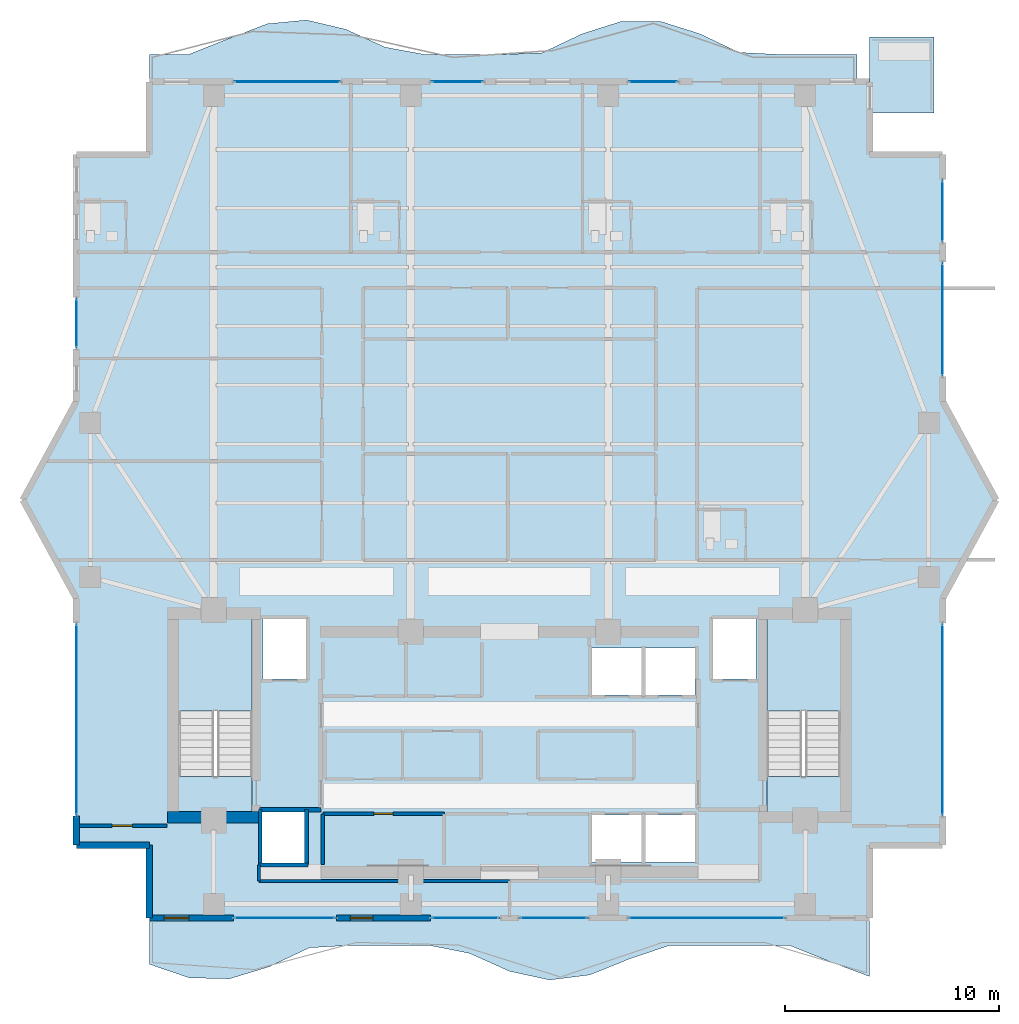
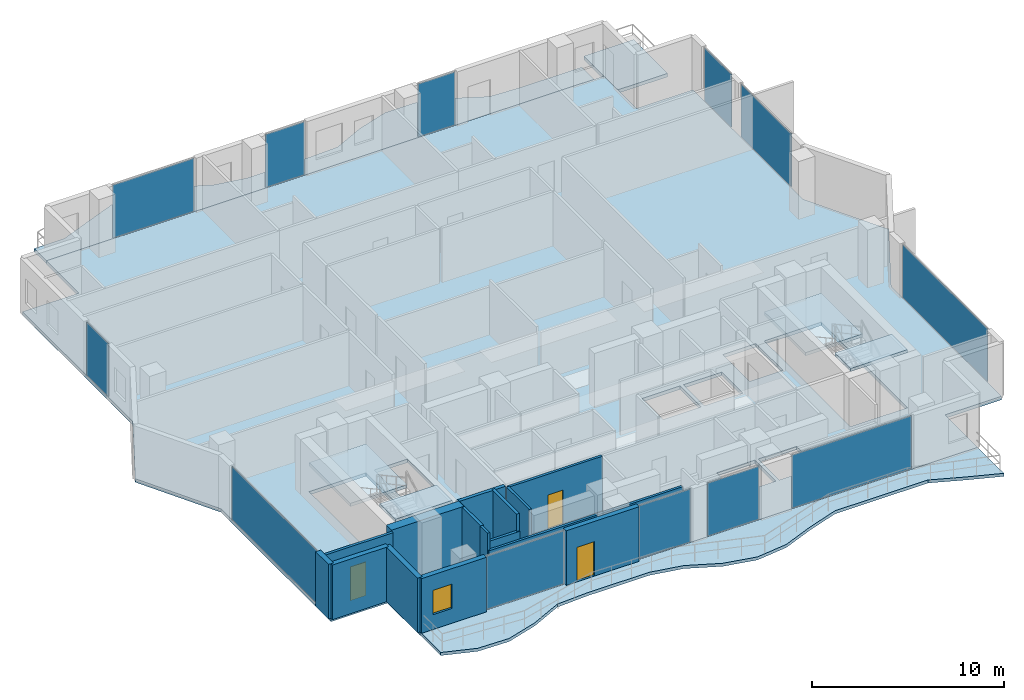
# One storey, part 16 of 23: 15 walls, 12 plates, 8 slabs, 3 doors, 1 window, 4 openings, 14 elements without a shape of their own.
"""IFC4 building model written with IfcOpenShell, lengths in metres."""

from ifc_helpers import new_model, si_unit, direction, frame, frame_2d, origin, origin_2d, place, context, subcontext, project, spatial, polyline, rectangle, outline, extrude, material, layer, layer_set, type_object, element, fill, aggregate, save


model = new_model("IFC4")

# Units and contexts
model_context = context("Model", 3, precision=1e-05, world=origin(), true_north=direction((0.0, 1.0)))
body_context = subcontext(model_context, "Body", "Model", "MODEL_VIEW")
ifc_project = project(units=[si_unit("LENGTHUNIT", "METRE"), si_unit("AREAUNIT", "SQUARE_METRE"), si_unit("VOLUMEUNIT", "CUBIC_METRE"), si_unit("PLANEANGLEUNIT", "RADIAN"), si_unit("MASSUNIT", "GRAM", prefix="KILO")], contexts=[model_context])

# Site, building, storey
site_placement = place(None, origin())
site = spatial("IfcSite", under=ifc_project, at=site_placement, CompositionType="ELEMENT")
building_placement = place(site_placement, origin())
building = spatial("IfcBuilding", under=site, at=building_placement, Name="Zuhayl Quay Hotel", CompositionType="ELEMENT")
storey_placement = place(building_placement, frame((0.0, 0.0, 265.550048828125)))
storey = spatial("IfcBuildingStorey", under=building, at=storey_placement, Name="L67", CompositionType="ELEMENT", Elevation=265.550048828125)

# Curtain wall, plate
ifc_material_1 = material(Name="Anodised Aluminium 6063-T6", Category="aluminium")
ifc_layer_1 = layer(ifc_material_1, 0.169921875, Name="Anodised Aluminium 6063-T6", Category="aluminium")
ifc_layer_set_1 = layer_set([ifc_layer_1], Name="Anodised Aluminium 6063-T6")
curtain_wall_type = type_object("IfcCurtainWallType", Name="CW_SYS_Z4", PredefinedType="USERDEFINED", material=ifc_layer_set_1)
curtain_wall_1_placement = place(storey_placement, origin())
curtain_wall_1 = element("IfcCurtainWall", 1, at=curtain_wall_1_placement, inside=storey, type_object=curtain_wall_type, Name="L67 Curtain Wall ENV_L67_E02_CW1", ObjectType="UNITISED CURTAIN WALL", PredefinedType="USERDEFINED")
ifc_material_2 = material(Name="Dark Ceramic-Fritted Solar Glass", Category="glass")
ifc_layer_2 = layer(ifc_material_2, 0.035888671875, Name="Dark Ceramic-Fritted Solar Glass", Category="glass")
ifc_layer_set_2 = layer_set([ifc_layer_2], Name="Dark Ceramic-Fritted Solar Glass")
plate_type = type_object("IfcPlateType", Name="PN_DARK_FRIT_Z1", PredefinedType="CURTAIN_PANEL", material=ifc_layer_set_2)
plate_1_placement = place(storey_placement, frame((-20.199951171875, 9.25, 0.054931640625), z_axis=(0.0, 0.0, 1.0), x_axis=(0.0, 1.0, 0.0)))
plate_1 = element("IfcPlate", 2, at=plate_1_placement, type_object=plate_type, Name="CW-Z4 panel 1.1", PredefinedType="CURTAIN_PANEL", context=body_context, shape_type="SweptSolid", body=[
    extrude(rectangle(XDim=8.8701171875, YDim=0.035888671875, at=origin_2d()), origin(), (0.0, 0.0, 1.0), 3.3701171875),
])
aggregate(curtain_wall_1, [plate_1])

curtain_wall_2_placement = place(storey_placement, origin())
curtain_wall_2 = element("IfcCurtainWall", 3, at=curtain_wall_2_placement, inside=storey, type_object=curtain_wall_type, Name="L67 Curtain Wall ENV_L67_E05_CW1", ObjectType="UNITISED CURTAIN WALL", PredefinedType="USERDEFINED")
plate_2_placement = place(storey_placement, frame((-20.199951171875, 27.739990234375, 0.054931640625), z_axis=(0.0, 0.0, 1.0), x_axis=(0.0, 1.0, 0.0)))
plate_2 = element("IfcPlate", 4, at=plate_2_placement, type_object=plate_type, Name="CW-Z4 panel 1.1", PredefinedType="CURTAIN_PANEL", context=body_context, shape_type="SweptSolid", body=[
    extrude(rectangle(XDim=2.25, YDim=0.035888671875, at=origin_2d()), origin(), (0.0, 0.0, 1.0), 3.3701171875),
])
aggregate(curtain_wall_2, [plate_2])

curtain_wall_3_placement = place(storey_placement, origin())
curtain_wall_3 = element("IfcCurtainWall", 5, at=curtain_wall_3_placement, inside=storey, type_object=curtain_wall_type, Name="L67 Curtain Wall ENV_L67_N_CW1", ObjectType="UNITISED CURTAIN WALL", PredefinedType="USERDEFINED")
plate_3_placement = place(storey_placement, frame((-10.364990234375, 39.0, 0.054931640625), z_axis=(0.0, 0.0, 1.0), x_axis=(1.0, 0.0, 0.0)))
plate_3 = element("IfcPlate", 6, at=plate_3_placement, type_object=plate_type, Name="CW-Z4 panel 1.1", PredefinedType="CURTAIN_PANEL", context=body_context, shape_type="SweptSolid", body=[
    extrude(rectangle(XDim=4.89990234375, YDim=0.035888671875, at=origin_2d()), origin(), (0.0, 0.0, 1.0), 3.3701171875),
])
aggregate(curtain_wall_3, [plate_3])

curtain_wall_4_placement = place(storey_placement, origin())
curtain_wall_4 = element("IfcCurtainWall", 7, at=curtain_wall_4_placement, inside=storey, type_object=curtain_wall_type, Name="L67 Curtain Wall ENV_L67_N_CW2", ObjectType="UNITISED CURTAIN WALL", PredefinedType="USERDEFINED")
plate_4_placement = place(storey_placement, frame((-2.43505859375, 39.0, 0.054931640625), z_axis=(0.0, 0.0, 1.0), x_axis=(1.0, 0.0, 0.0)))
plate_4 = element("IfcPlate", 8, at=plate_4_placement, type_object=plate_type, Name="CW-Z4 panel 1.1", PredefinedType="CURTAIN_PANEL", context=body_context, shape_type="SweptSolid", body=[
    extrude(rectangle(XDim=2.360107421875, YDim=0.035888671875, at=origin_2d()), origin(), (0.0, 0.0, 1.0), 3.3701171875),
])
aggregate(curtain_wall_4, [plate_4])

curtain_wall_5_placement = place(storey_placement, origin())
curtain_wall_5 = element("IfcCurtainWall", 9, at=curtain_wall_5_placement, inside=storey, type_object=curtain_wall_type, Name="L67 Curtain Wall ENV_L67_N_CW3", ObjectType="UNITISED CURTAIN WALL", PredefinedType="USERDEFINED")
plate_5_placement = place(storey_placement, frame((6.698974609375, 39.0, 0.054931640625), z_axis=(0.0, 0.0, 1.0), x_axis=(1.0, 0.0, 0.0)))
plate_5 = element("IfcPlate", 10, at=plate_5_placement, type_object=plate_type, Name="CW-Z4 panel 1.1", PredefinedType="CURTAIN_PANEL", context=body_context, shape_type="SweptSolid", body=[
    extrude(rectangle(XDim=2.22802734375, YDim=0.035888671875, at=origin_2d()), origin(), (0.0, 0.0, 1.0), 3.3701171875),
])
aggregate(curtain_wall_5, [plate_5])

curtain_wall_6_placement = place(storey_placement, origin())
curtain_wall_6 = element("IfcCurtainWall", 11, at=curtain_wall_6_placement, inside=storey, type_object=curtain_wall_type, Name="L67 Curtain Wall ENV_L67_E11_CW1", ObjectType="UNITISED CURTAIN WALL", PredefinedType="USERDEFINED")
plate_6_placement = place(storey_placement, frame((20.199951171875, 32.97509765625, 0.054931640625), z_axis=(0.0, 0.0, 1.0), x_axis=(0.0, -1.0, 0.0)))
plate_6 = element("IfcPlate", 12, at=plate_6_placement, type_object=plate_type, Name="CW-Z4 panel 1.1", PredefinedType="CURTAIN_PANEL", context=body_context, shape_type="SweptSolid", body=[
    extrude(rectangle(XDim=2.820068359375, YDim=0.035888671875, at=origin_2d()), origin(), (0.0, 0.0, 1.0), 3.3701171875),
])
aggregate(curtain_wall_6, [plate_6])

curtain_wall_7_placement = place(storey_placement, origin())
curtain_wall_7 = element("IfcCurtainWall", 13, at=curtain_wall_7_placement, inside=storey, type_object=curtain_wall_type, Name="L67 Curtain Wall ENV_L67_E11_CW2", ObjectType="UNITISED CURTAIN WALL", PredefinedType="USERDEFINED")
plate_7_placement = place(storey_placement, frame((20.199951171875, 27.925048828125, 0.054931640625), z_axis=(0.0, 0.0, 1.0), x_axis=(0.0, -1.0, 0.0)))
plate_7 = element("IfcPlate", 14, at=plate_7_placement, type_object=plate_type, Name="CW-Z4 panel 1.1", PredefinedType="CURTAIN_PANEL", context=body_context, shape_type="SweptSolid", body=[
    extrude(rectangle(XDim=5.219970703125, YDim=0.035888671875, at=origin_2d()), origin(), (0.0, 0.0, 1.0), 3.3701171875),
])
aggregate(curtain_wall_7, [plate_7])

curtain_wall_8_placement = place(storey_placement, origin())
curtain_wall_8 = element("IfcCurtainWall", 15, at=curtain_wall_8_placement, inside=storey, type_object=curtain_wall_type, Name="L67 Curtain Wall ENV_L67_E14_CW1", ObjectType="UNITISED CURTAIN WALL", PredefinedType="USERDEFINED")
plate_8_placement = place(storey_placement, frame((20.199951171875, 9.25, 0.054931640625), z_axis=(0.0, 0.0, 1.0), x_axis=(0.0, -1.0, 0.0)))
plate_8 = element("IfcPlate", 16, at=plate_8_placement, type_object=plate_type, Name="CW-Z4 panel 1.1", PredefinedType="CURTAIN_PANEL", context=body_context, shape_type="SweptSolid", body=[
    extrude(rectangle(XDim=8.8701171875, YDim=0.035888671875, at=origin_2d()), origin(), (0.0, 0.0, 1.0), 3.3701171875),
])
aggregate(curtain_wall_8, [plate_8])

curtain_wall_9_placement = place(storey_placement, origin())
curtain_wall_9 = element("IfcCurtainWall", 17, at=curtain_wall_9_placement, inside=storey, type_object=curtain_wall_type, Name="L67 Curtain Wall ENV_L67_S_CW1", ObjectType="UNITISED CURTAIN WALL", PredefinedType="USERDEFINED")
plate_9_placement = place(storey_placement, frame((9.199951171875, 0.0, 0.054931640625), z_axis=(0.0, 0.0, 1.0), x_axis=(-1.0, 0.0, 0.0)))
plate_9 = element("IfcPlate", 18, at=plate_9_placement, type_object=plate_type, Name="CW-Z4 panel 1.1", PredefinedType="CURTAIN_PANEL", context=body_context, shape_type="SweptSolid", body=[
    extrude(rectangle(XDim=7.22998046875, YDim=0.035888671875, at=origin_2d()), origin(), (0.0, 0.0, 1.0), 3.3701171875),
])
aggregate(curtain_wall_9, [plate_9])

curtain_wall_10_placement = place(storey_placement, origin())
curtain_wall_10 = element("IfcCurtainWall", 19, at=curtain_wall_10_placement, inside=storey, type_object=curtain_wall_type, Name="L67 Curtain Wall ENV_L67_S_CW2", ObjectType="UNITISED CURTAIN WALL", PredefinedType="USERDEFINED")
plate_10_placement = place(storey_placement, frame((2.06494140625, 0.0, 0.054931640625), z_axis=(0.0, 0.0, 1.0), x_axis=(-1.0, 0.0, 0.0)))
plate_10 = element("IfcPlate", 20, at=plate_10_placement, type_object=plate_type, Name="CW-Z4 panel 1.1", PredefinedType="CURTAIN_PANEL", context=body_context, shape_type="SweptSolid", body=[
    extrude(rectangle(XDim=3.10009765625, YDim=0.035888671875, at=origin_2d()), origin(), (0.0, 0.0, 1.0), 3.3701171875),
])
aggregate(curtain_wall_10, [plate_10])

curtain_wall_11_placement = place(storey_placement, origin())
curtain_wall_11 = element("IfcCurtainWall", 21, at=curtain_wall_11_placement, inside=storey, type_object=curtain_wall_type, Name="L67 Curtain Wall ENV_L67_S_CW3", ObjectType="UNITISED CURTAIN WALL", PredefinedType="USERDEFINED")
plate_11_placement = place(storey_placement, frame((-2.06494140625, 0.0, 0.054931640625), z_axis=(0.0, 0.0, 1.0), x_axis=(-1.0, 0.0, 0.0)))
plate_11 = element("IfcPlate", 22, at=plate_11_placement, type_object=plate_type, Name="CW-Z4 panel 1.1", PredefinedType="CURTAIN_PANEL", context=body_context, shape_type="SweptSolid", body=[
    extrude(rectangle(XDim=3.10009765625, YDim=0.035888671875, at=origin_2d()), origin(), (0.0, 0.0, 1.0), 3.3701171875),
])
aggregate(curtain_wall_11, [plate_11])

curtain_wall_12_placement = place(storey_placement, origin())
curtain_wall_12 = element("IfcCurtainWall", 23, at=curtain_wall_12_placement, inside=storey, type_object=curtain_wall_type, Name="L67 Curtain Wall ENV_L67_S_CW4", ObjectType="UNITISED CURTAIN WALL", PredefinedType="USERDEFINED")
plate_12_placement = place(storey_placement, frame((-10.4775390625, 0.0, 0.054931640625), z_axis=(0.0, 0.0, 1.0), x_axis=(-1.0, 0.0, 0.0)))
plate_12 = element("IfcPlate", 24, at=plate_12_placement, type_object=plate_type, Name="CW-Z4 panel 1.1", PredefinedType="CURTAIN_PANEL", context=body_context, shape_type="SweptSolid", body=[
    extrude(rectangle(XDim=4.675048828125, YDim=0.035888671875, at=origin_2d()), origin(), (0.0, 0.0, 1.0), 3.3701171875),
])
aggregate(curtain_wall_12, [plate_12])

# Slabs
ifc_material_3 = material(Name="Concrete C45/55", Category="concrete")
ifc_layer_3 = layer(ifc_material_3, 0.195068359375, Name="Concrete C45/55", Category="concrete")
ifc_layer_set_3 = layer_set([ifc_layer_3], Name="Concrete C45/55")
slab_type_1 = type_object("IfcSlabType", Name="SL_BALCONY_195", PredefinedType="FLOOR", material=ifc_layer_set_3)
slab_1_placement = place(storey_placement, frame((0.0, 0.0, -0.195068359375)))
element("IfcSlab", 25, at=slab_1_placement, inside=storey, type_object=slab_type_1, Name="L67 Exterior Rippling Balcony Slab North", PredefinedType="FLOOR", context=body_context, shape_type="SweptSolid", body=[
    extrude(outline(polyline([(-16.800048828125, 39.0), (16.199951171875, 39.0), (16.199951171875, 40.280029296875), (14.36669921875, 40.280029296875), (12.533203125, 40.280029296875), (10.699951171875, 40.3740234375), (8.86669921875, 41.246337890625), (7.033203125, 41.82275390625), (5.199951171875, 41.81689453125), (3.36669921875, 41.23193359375), (1.533203125, 40.358154296875), (-0.300048828125, 40.280029296875), (-2.13330078125, 40.280029296875), (-3.966796875, 40.280029296875), (-5.800048828125, 40.6171875), (-7.63330078125, 41.44921875), (-9.466796875, 41.884521484375), (-11.300048828125, 41.707275390625), (-13.13330078125, 41.0048828125), (-14.966796875, 40.280029296875), (-16.800048828125, 40.280029296875), (-16.800048828125, 39.0)])), origin(), (0.0, 0.0, 1.0), 0.195068359375),
])
slab_2_placement = place(storey_placement, frame((0.0, 0.0, -0.195068359375)))
element("IfcSlab", 26, at=slab_2_placement, inside=storey, type_object=slab_type_1, Name="L67 Exterior Rippling Balcony Slab South", PredefinedType="FLOOR", context=body_context, shape_type="SweptSolid", body=[
    extrude(outline(polyline([(-16.800048828125, -2.158447265625), (-14.933349609375, -2.7919921875), (-13.066650390625, -2.8388671875), (-11.199951171875, -2.27490234375), (-9.333251953125, -1.39013671875), (-7.466796875, -1.280029296875), (-5.60009765625, -1.280029296875), (-3.7333984375, -1.280029296875), (-1.86669921875, -1.64990234375), (0.0, -2.486328125), (1.86669921875, -2.893310546875), (3.7333984375, -2.661376953125), (5.60009765625, -1.909912109375), (7.466796875, -1.280029296875), (9.333251953125, -1.280029296875), (11.199951171875, -1.280029296875), (13.066650390625, -1.280029296875), (14.933349609375, -2.036376953125), (16.800048828125, -2.732421875), (16.800048828125, 0.0), (-16.800048828125, 0.0), (-16.800048828125, -2.158447265625)])), origin(), (0.0, 0.0, 1.0), 0.195068359375),
])
ifc_layer_4 = layer(ifc_material_3, 0.219970703125, Name="Concrete C45/55", Category="concrete")
ifc_layer_set_4 = layer_set([ifc_layer_4], Name="Concrete C45/55")
slab_type_2 = type_object("IfcSlabType", Name="SL_FLOOR_220", PredefinedType="FLOOR", material=ifc_layer_set_4)
slab_3_placement = place(storey_placement, frame((0.0, 0.0, -0.219970703125)))
element("IfcSlab", 27, at=slab_3_placement, inside=storey, type_object=slab_type_2, Name="L67 Structural Floor Slab", PredefinedType="FLOOR", context=body_context, shape_type="SweptSolid", body=[
    extrude(outline(polyline([(-16.800048828125, 0.0), (16.800048828125, 0.0), (16.800048828125, 3.39990234375), (20.199951171875, 3.39990234375), (20.199951171875, 14.89990234375), (22.699951171875, 19.5), (20.199951171875, 24.10009765625), (20.199951171875, 35.60009765625), (16.800048828125, 35.60009765625), (16.800048828125, 39.0), (-16.800048828125, 39.0), (-16.800048828125, 35.60009765625), (-20.199951171875, 35.60009765625), (-20.199951171875, 24.10009765625), (-22.699951171875, 19.5), (-20.199951171875, 14.89990234375), (-20.199951171875, 3.39990234375), (-16.800048828125, 3.39990234375), (-16.800048828125, 0.0)]), holes=[polyline([(-12.0, 4.949951171875), (-12.0, 13.949951171875), (-15.429931640625, 13.949951171875), (-15.429931640625, 4.949951171875), (-12.0, 4.949951171875)]), polyline([(15.429931640625, 4.949951171875), (15.429931640625, 13.949951171875), (12.0, 13.949951171875), (12.0, 4.949951171875), (15.429931640625, 4.949951171875)]), polyline([(-11.5, 11.14990234375), (-9.5, 11.14990234375), (-9.5, 13.949951171875), (-11.5, 13.949951171875), (-11.5, 11.14990234375)]), polyline([(9.5, 11.14990234375), (11.5, 11.14990234375), (11.5, 13.949951171875), (9.5, 13.949951171875), (9.5, 11.14990234375)]), polyline([(3.85009765625, 2.60009765625), (6.14990234375, 2.60009765625), (6.14990234375, 4.800048828125), (3.85009765625, 4.800048828125), (3.85009765625, 2.60009765625)]), polyline([(6.35009765625, 2.60009765625), (8.64990234375, 2.60009765625), (8.64990234375, 4.800048828125), (6.35009765625, 4.800048828125), (6.35009765625, 2.60009765625)]), polyline([(3.85009765625, 10.39990234375), (6.14990234375, 10.39990234375), (6.14990234375, 12.60009765625), (3.85009765625, 12.60009765625), (3.85009765625, 10.39990234375)]), polyline([(6.35009765625, 10.39990234375), (8.64990234375, 10.39990234375), (8.64990234375, 12.60009765625), (6.35009765625, 12.60009765625), (6.35009765625, 10.39990234375)]), polyline([(-11.550048828125, 2.550048828125), (-9.550048828125, 2.550048828125), (-9.550048828125, 4.949951171875), (-11.550048828125, 4.949951171875), (-11.550048828125, 2.550048828125)])]), origin(), (0.0, 0.0, 1.0), 0.219970703125),
])

# Stair, slabs
stair_type = type_object("IfcStairType", Name="ST_DOGLEG_TOWER", PredefinedType="HALF_TURN_STAIR", material=ifc_material_3)
stair_1_placement = place(storey_placement, origin())
stair_1 = element("IfcStair", 28, at=stair_1_placement, inside=storey, type_object=stair_type, Name="L67 Smokeproof Exit Stair ST1", PredefinedType="HALF_TURN_STAIR")
ifc_layer_5 = layer(ifc_material_3, 0.199951171875, Name="Concrete C45/55", Category="concrete")
ifc_layer_set_5 = layer_set([ifc_layer_5], Name="Concrete C45/55")
slab_type_3 = type_object("IfcSlabType", Name="SL_STAIR_LANDING_200", PredefinedType="LANDING", material=ifc_layer_set_5)
slab_4_placement = place(storey_placement, frame((0.0, 0.0, 1.64990234375)))
slab_4 = element("IfcSlab", 29, at=slab_4_placement, type_object=slab_type_3, Name="ST1 landing 1", PredefinedType="LANDING", context=body_context, shape_type="SweptSolid", body=[
    extrude(outline(polyline([(-12.0, 9.64990234375), (-12.0, 13.949951171875), (-15.429931640625, 13.949951171875), (-15.429931640625, 9.64990234375), (-12.0, 9.64990234375)])), origin(), (0.0, 0.0, 1.0), 0.199951171875),
])
slab_5_placement = place(storey_placement, frame((0.0, 0.0, 3.5)))
slab_5 = element("IfcSlab", 30, at=slab_5_placement, type_object=slab_type_3, Name="ST1 landing 2", PredefinedType="LANDING", context=body_context, shape_type="SweptSolid", body=[
    extrude(outline(polyline([(-12.0, 4.949951171875), (-12.0, 6.590087890625), (-15.429931640625, 6.590087890625), (-15.429931640625, 4.949951171875), (-12.0, 4.949951171875)])), origin(), (0.0, 0.0, 1.0), 0.199951171875),
])
aggregate(stair_1, [slab_4, slab_5])

stair_2_placement = place(storey_placement, origin())
stair_2 = element("IfcStair", 31, at=stair_2_placement, inside=storey, type_object=stair_type, Name="L67 Smokeproof Exit Stair ST2", PredefinedType="HALF_TURN_STAIR")
slab_6_placement = place(storey_placement, frame((0.0, 0.0, 1.64990234375)))
slab_6 = element("IfcSlab", 32, at=slab_6_placement, type_object=slab_type_3, Name="ST2 landing 1", PredefinedType="LANDING", context=body_context, shape_type="SweptSolid", body=[
    extrude(outline(polyline([(15.429931640625, 9.64990234375), (15.429931640625, 13.949951171875), (12.0, 13.949951171875), (12.0, 9.64990234375), (15.429931640625, 9.64990234375)])), origin(), (0.0, 0.0, 1.0), 0.199951171875),
])
slab_7_placement = place(storey_placement, frame((0.0, 0.0, 3.5)))
slab_7 = element("IfcSlab", 33, at=slab_7_placement, type_object=slab_type_3, Name="ST2 landing 2", PredefinedType="LANDING", context=body_context, shape_type="SweptSolid", body=[
    extrude(outline(polyline([(15.429931640625, 4.949951171875), (15.429931640625, 6.590087890625), (12.0, 6.590087890625), (12.0, 4.949951171875), (15.429931640625, 4.949951171875)])), origin(), (0.0, 0.0, 1.0), 0.199951171875),
])
aggregate(stair_2, [slab_6, slab_7])

# Slab
ifc_layer_6 = layer(ifc_material_3, 0.219970703125, Name="Concrete C45/55", Category="concrete")
ifc_layer_set_6 = layer_set([ifc_layer_6], Name="Concrete C45/55")
slab_type_4 = type_object("IfcSlabType", Name="SL_TERRACE_235", PredefinedType="FLOOR", material=ifc_layer_set_6)
slab_8_placement = place(storey_placement, frame((0.0, 0.0, -0.219970703125)))
element("IfcSlab", 34, at=slab_8_placement, inside=storey, type_object=slab_type_4, Name="L67 Exterior Sky-Terrace Slab L67_SPIRAL_NE", PredefinedType="FLOOR", context=body_context, shape_type="SweptSolid", body=[
    extrude(outline(polyline([(16.800048828125, 37.550048828125), (19.800048828125, 37.550048828125), (19.800048828125, 41.10009765625), (16.800048828125, 41.10009765625), (16.800048828125, 37.550048828125)])), origin(), (0.0, 0.0, 1.0), 0.219970703125),
])

# Walls
ifc_material_4 = material(Name="Concrete C50/60", Category="concrete")
ifc_layer_7 = layer(ifc_material_4, 0.550048828125, Name="Concrete C50/60", Category="concrete")
ifc_layer_set_7 = layer_set([ifc_layer_7], Name="Concrete C50/60")
wall_type_1 = type_object("IfcWallType", Name="WL_CORE_550", PredefinedType="SHEAR", material=ifc_layer_set_7)
wall_1_placement = place(storey_placement, frame((-15.9599609375, 4.695068359375, 0.0), z_axis=(0.0, 0.0, 1.0), x_axis=(1.0, 0.0, 0.0)))
element("IfcWall", 35, at=wall_1_placement, inside=storey, type_object=wall_type_1, Name="L67 Core Shear Wall CW_SW", PredefinedType="SHEAR", context=body_context, shape_type="SweptSolid", body=[
    extrude(rectangle(XDim=4.35986328125, YDim=0.550048828125, at=frame_2d((2.179931640625, 0.0))), origin(), (0.0, 0.0, 1.0), 3.510009765625),
])
ifc_material_5 = material(Name="Precast concrete C45/55", Category="concrete")
ifc_layer_8 = layer(ifc_material_5, 0.300048828125, Name="Precast concrete C45/55", Category="concrete")
ifc_layer_set_8 = layer_set([ifc_layer_8], Name="Precast concrete C45/55")
wall_type_2 = type_object("IfcWallType", Name="WL_EXT_300", PredefinedType="STANDARD", material=ifc_layer_set_8)
wall_2_placement = place(storey_placement, frame((-16.800048828125, 3.39990234375, 0.0), z_axis=(0.0, 0.0, 1.0), x_axis=(-1.0, 0.0, 0.0)))
element("IfcWall", 36, at=wall_2_placement, inside=storey, type_object=wall_type_2, Name="L67 Exterior Precast Wall ENV_L67_EW01", PredefinedType="STANDARD", context=body_context, shape_type="SweptSolid", body=[
    extrude(rectangle(XDim=3.39990234375, YDim=0.300048828125, at=frame_2d((1.699951171875, 0.0))), origin(), (0.0, 0.0, 1.0), 3.47998046875),
])
wall_3_placement = place(storey_placement, frame((-20.199951171875, 3.39990234375, 0.0), z_axis=(0.0, 0.0, 1.0), x_axis=(0.0, 1.0, 0.0)))
element("IfcWall", 37, at=wall_3_placement, inside=storey, type_object=wall_type_2, Name="L67 Exterior Precast Wall ENV_L67_E02_EW1", PredefinedType="STANDARD", context=body_context, shape_type="SweptSolid", body=[
    extrude(rectangle(XDim=1.35009765625, YDim=0.300048828125, at=frame_2d((0.675048828125, 0.0))), origin(), (0.0, 0.0, 1.0), 3.47998046875),
])

# Wall, opening, door
wall_4_placement = place(storey_placement, frame((-3.679931640625, 0.0, 0.0), z_axis=(0.0, 0.0, 1.0), x_axis=(-1.0, 0.0, 0.0)))
wall_4 = element("IfcWall", 38, at=wall_4_placement, inside=storey, type_object=wall_type_2, Name="L67 Exterior Precast Wall ENV_L67_S_EW4", PredefinedType="STANDARD", context=body_context, shape_type="SweptSolid", body=[
    extrude(rectangle(XDim=4.39501953125, YDim=0.300048828125, at=frame_2d((2.197509765625, 0.0))), origin(), (0.0, 0.0, 1.0), 3.47998046875),
])
opening_1_placement = place(wall_4_placement, frame((2.695068359375, 0.0, 0.0)))
opening_1 = element("IfcOpeningElement", 39, at=opening_1_placement, cuts=wall_4, Name="Opening DG1", PredefinedType="OPENING", context=body_context, shape_type="SweptSolid", body=[
    extrude(rectangle(XDim=1.050048828125, YDim=2.199951171875, at=frame_2d((0.52490234375, 1.10009765625))), frame((0.0, 0.159912109375, 0.0), z_axis=(0.0, -1.0, 0.0), x_axis=(1.0, 0.0, 0.0)), (0.0, 0.0, 1.0), 0.320068359375),
])
ifc_material_6 = material(Name="Anodised Aluminium and Dark Solar Glass", Category="aluminium")
door_type_1 = type_object("IfcDoorType", Name="DR_EXT_TERR_1050", OperationType="NOTDEFINED", PredefinedType="DOOR", material=ifc_material_6)
door_1_placement = place(opening_1_placement, origin())
door_1 = element("IfcDoor", 40, at=door_1_placement, inside=storey, type_object=door_type_1, Name="L67 South Rippling Balcony Door", OperationType="SINGLE_SWING_RIGHT", OverallHeight=2.199951171875, OverallWidth=1.050048828125, PredefinedType="DOOR", context=body_context, shape_type="SweptSolid", body=[
    extrude(rectangle(XDim=1.050048828125, YDim=2.199951171875, at=frame_2d((0.52490234375, 1.10009765625))), frame((0.0, 0.02490234375, 0.0), z_axis=(0.0, -1.0, 0.0), x_axis=(1.0, 0.0, 0.0)), (0.0, 0.0, 1.0), 0.050048828125),
])
fill(opening_1, door_1)

# Wall, opening, window
wall_5_placement = place(storey_placement, frame((-12.8798828125, 0.0, 0.0), z_axis=(0.0, 0.0, 1.0), x_axis=(-1.0, 0.0, 0.0)))
wall_5 = element("IfcWall", 41, at=wall_5_placement, inside=storey, type_object=wall_type_2, Name="L67 Exterior Precast Wall ENV_L67_S_EW5", PredefinedType="STANDARD", context=body_context, shape_type="SweptSolid", body=[
    extrude(rectangle(XDim=3.920166015625, YDim=0.300048828125, at=frame_2d((1.9599609375, 0.0))), origin(), (0.0, 0.0, 1.0), 3.47998046875),
])
opening_2_placement = place(wall_5_placement, frame((2.074951171875, 0.0, 0.949951171875)))
opening_2 = element("IfcOpeningElement", 42, at=opening_2_placement, cuts=wall_5, Name="Opening W01N", PredefinedType="OPENING", context=body_context, shape_type="SweptSolid", body=[
    extrude(rectangle(XDim=1.14990234375, YDim=1.550048828125, at=frame_2d((0.574951171875, 0.77490234375))), frame((0.0, 0.159912109375, 0.0), z_axis=(0.0, -1.0, 0.0), x_axis=(1.0, 0.0, 0.0)), (0.0, 0.0, 1.0), 0.320068359375),
])
window_type = type_object("IfcWindowType", Name="WN_NOTCH_1350", PartitioningType="SINGLE_PANEL", PredefinedType="WINDOW", material=ifc_material_2)
window_placement = place(opening_2_placement, origin())
window = element("IfcWindow", 43, at=window_placement, inside=storey, type_object=window_type, Name="L67 Operable Facade Window 5-1", OverallHeight=1.550048828125, OverallWidth=1.14990234375, PartitioningType="SINGLE_PANEL", PredefinedType="WINDOW", context=body_context, shape_type="SweptSolid", body=[
    extrude(rectangle(XDim=1.14990234375, YDim=1.550048828125, at=frame_2d((0.574951171875, 0.77490234375))), frame((0.0, 0.030029296875, 0.0), z_axis=(0.0, -1.0, 0.0), x_axis=(1.0, 0.0, 0.0)), (0.0, 0.0, 1.0), 0.06005859375),
])
fill(opening_2, window)

# Wall
wall_6_placement = place(storey_placement, frame((-16.800048828125, 0.0, 0.0), z_axis=(0.0, 0.0, 1.0), x_axis=(0.0, 1.0, 0.0)))
element("IfcWall", 44, at=wall_6_placement, inside=storey, type_object=wall_type_2, Name="L67 Exterior Precast Wall ENV_L67_EW18", PredefinedType="STANDARD", context=body_context, shape_type="SweptSolid", body=[
    extrude(rectangle(XDim=3.39990234375, YDim=0.300048828125, at=frame_2d((1.699951171875, 0.0))), origin(), (0.0, 0.0, 1.0), 3.47998046875),
])

# Wall, opening, door
ifc_material_7 = material(Name="Acoustic Gypsum Partition STC-58")
ifc_layer_9 = layer(ifc_material_7, 0.14990234375, Name="Acoustic Gypsum Partition STC-58")
ifc_layer_set_9 = layer_set([ifc_layer_9], Name="Acoustic Gypsum Partition STC-58")
wall_type_3 = type_object("IfcWallType", Name="WL_PART_150", PredefinedType="PARTITIONING", material=ifc_layer_set_9)
wall_7_placement = place(storey_placement, frame((-8.7099609375, 4.860107421875, 0.0), z_axis=(0.0, 0.0, 1.0), x_axis=(1.0, 0.0, 0.0)))
wall_7 = element("IfcWall", 45, at=wall_7_placement, inside=storey, type_object=wall_type_3, Name="L67 Partition IW_L67_FMP_SW_N", PredefinedType="PARTITIONING", context=body_context, shape_type="SweptSolid", body=[
    extrude(rectangle(XDim=5.669921875, YDim=0.14990234375, at=frame_2d((2.8349609375, 0.0))), origin(), (0.0, 0.0, 1.0), 3.47998046875),
])
opening_3_placement = place(wall_7_placement, frame((2.385009765625, 0.0, 0.0)))
opening_3 = element("IfcOpeningElement", 46, at=opening_3_placement, cuts=wall_7, Name="Opening D06", PredefinedType="OPENING", context=body_context, shape_type="SweptSolid", body=[
    extrude(rectangle(XDim=0.89990234375, YDim=2.14990234375, at=frame_2d((0.449951171875, 1.074951171875))), frame((0.0, 0.0849609375, 0.0), z_axis=(0.0, -1.0, 0.0), x_axis=(1.0, 0.0, 0.0)), (0.0, 0.0, 1.0), 0.169921875),
])
ifc_material_8 = material(Name="Steel ASTM A992 Grade 50", Category="steel")
door_type_2 = type_object("IfcDoorType", Name="DR_INT_900", OperationType="NOTDEFINED", PredefinedType="DOOR", material=ifc_material_8)
door_2_placement = place(opening_3_placement, origin())
door_2 = element("IfcDoor", 47, at=door_2_placement, inside=storey, type_object=door_type_2, Name="L67 Sommelier Cellar Pantry Door", OperationType="SINGLE_SWING_RIGHT", OverallHeight=2.14990234375, OverallWidth=0.89990234375, PredefinedType="DOOR", context=body_context, shape_type="SweptSolid", body=[
    extrude(rectangle(XDim=0.89990234375, YDim=2.14990234375, at=frame_2d((0.449951171875, 1.074951171875))), frame((0.0, 0.02490234375, 0.0), z_axis=(0.0, -1.0, 0.0), x_axis=(1.0, 0.0, 0.0)), (0.0, 0.0, 1.0), 0.050048828125),
])
fill(opening_3, door_2)

# Walls
wall_8_placement = place(storey_placement, frame((-8.7099609375, 2.489990234375, 0.0), z_axis=(0.0, 0.0, 1.0), x_axis=(0.0, 1.0, 0.0)))
element("IfcWall", 48, at=wall_8_placement, inside=storey, type_object=wall_type_3, Name="L67 Partition IW_L67_FMP_SW_W", PredefinedType="PARTITIONING", context=body_context, shape_type="SweptSolid", body=[
    extrude(rectangle(XDim=2.3701171875, YDim=0.14990234375, at=frame_2d((1.18505859375, 0.0))), origin(), (0.0, 0.0, 1.0), 3.47998046875),
])
wall_9_placement = place(storey_placement, frame((-11.679931640625, 1.719970703125, 0.0), z_axis=(0.0, 0.0, 1.0), x_axis=(0.0, 1.0, 0.0)))
element("IfcWall", 49, at=wall_9_placement, inside=storey, type_object=wall_type_3, Name="L67 Partition IW_L67_Z4_SUN_SW_IN", PredefinedType="PARTITIONING", context=body_context, shape_type="SweptSolid", body=[
    extrude(rectangle(XDim=0.75, YDim=0.14990234375, at=frame_2d((0.375, 0.0))), origin(), (0.0, 0.0, 1.0), 3.47998046875),
])
wall_10_placement = place(storey_placement, frame((-11.679931640625, 1.719970703125, 0.0), z_axis=(0.0, 0.0, 1.0), x_axis=(1.0, 0.0, 0.0)))
element("IfcWall", 50, at=wall_10_placement, inside=storey, type_object=wall_type_3, Name="L67 Partition IW_L67_Z4_SUN_SW_SN", PredefinedType="PARTITIONING", context=body_context, shape_type="SweptSolid", body=[
    extrude(rectangle(XDim=11.679931640625, YDim=0.14990234375, at=frame_2d((5.83984375, 0.0))), origin(), (0.0, 0.0, 1.0), 2.3798828125),
])

# Wall, opening, door
ifc_layer_10 = layer(ifc_material_7, 0.159912109375, Name="Acoustic Gypsum Partition STC-58")
ifc_layer_set_10 = layer_set([ifc_layer_10], Name="Acoustic Gypsum Partition STC-58")
wall_type_4 = type_object("IfcWallType", Name="WL_PART_CORR_160", PredefinedType="PARTITIONING", material=ifc_layer_set_10)
wall_11_placement = place(storey_placement, frame((-20.139892578125, 4.300048828125, 0.0), z_axis=(0.0, 0.0, 1.0), x_axis=(1.0, 0.0, 0.0)))
wall_11 = element("IfcWall", 51, at=wall_11_placement, inside=storey, type_object=wall_type_4, Name="L67 Partition IW_L67_Z4_SUN_SW_N", PredefinedType="PARTITIONING", context=body_context, shape_type="SweptSolid", body=[
    extrude(rectangle(XDim=4.159912109375, YDim=0.159912109375, at=frame_2d((2.080078125, 0.0))), origin(), (0.0, 0.0, 1.0), 3.47998046875),
])
opening_4_placement = place(wall_11_placement, frame((1.60498046875, 0.0, 0.0)))
opening_4 = element("IfcOpeningElement", 52, at=opening_4_placement, cuts=wall_11, Name="Opening D03", PredefinedType="OPENING", context=body_context, shape_type="SweptSolid", body=[
    extrude(rectangle(XDim=0.949951171875, YDim=2.14990234375, at=frame_2d((0.47509765625, 1.074951171875))), frame((0.0, 0.08984375, 0.0), z_axis=(0.0, -1.0, 0.0), x_axis=(1.0, 0.0, 0.0)), (0.0, 0.0, 1.0), 0.179931640625),
])
ifc_material_9 = material(Name="Solid Walnut Acoustic Fire Door")
door_type_3 = type_object("IfcDoorType", Name="DR_SUITE_950", OperationType="NOTDEFINED", PredefinedType="DOOR", material=ifc_material_9)
door_3_placement = place(opening_4_placement, origin())
door_3 = element("IfcDoor", 53, at=door_3_placement, inside=storey, type_object=door_type_3, Name="L67 Sunset Salon SW Door", OperationType="SINGLE_SWING_LEFT", OverallHeight=2.14990234375, OverallWidth=0.949951171875, PredefinedType="DOOR", context=body_context, shape_type="SweptSolid", body=[
    extrude(rectangle(XDim=0.949951171875, YDim=2.14990234375, at=frame_2d((0.47509765625, 1.074951171875))), frame((0.0, 0.02490234375, 0.0), z_axis=(0.0, -1.0, 0.0), x_axis=(1.0, 0.0, 0.0)), (0.0, 0.0, 1.0), 0.050048828125),
])
fill(opening_4, door_3)

# Walls
ifc_material_10 = material(Name="Gypsum Fireboard Assembly EI-90")
ifc_layer_11 = layer(ifc_material_10, 0.1650390625, Name="Gypsum Fireboard Assembly EI-90")
ifc_layer_set_11 = layer_set([ifc_layer_11], Name="Gypsum Fireboard Assembly EI-90")
wall_type_5 = type_object("IfcWallType", Name="WL_PART_SHAFT_160", PredefinedType="PARTITIONING", material=ifc_layer_set_11)
wall_12_placement = place(storey_placement, frame((-11.6298828125, 2.469970703125, 0.0), z_axis=(0.0, 0.0, 1.0), x_axis=(0.0, 1.0, 0.0)))
element("IfcWall", 54, at=wall_12_placement, inside=storey, type_object=wall_type_5, Name="L67 Partition IW_L67_RISER_W", PredefinedType="PARTITIONING", context=body_context, shape_type="SweptSolid", body=[
    extrude(rectangle(XDim=2.580078125, YDim=0.1650390625, at=frame_2d((1.2900390625, 0.0))), origin(), (0.0, 0.0, 1.0), 3.47998046875),
])
wall_13_placement = place(storey_placement, frame((-11.7099609375, 2.469970703125, 0.0), z_axis=(0.0, 0.0, 1.0), x_axis=(1.0, 0.0, 0.0)))
element("IfcWall", 55, at=wall_13_placement, inside=storey, type_object=wall_type_5, Name="L67 Partition IW_L67_RISER_S", PredefinedType="PARTITIONING", context=body_context, shape_type="SweptSolid", body=[
    extrude(rectangle(XDim=2.31005859375, YDim=0.1650390625, at=frame_2d((1.155029296875, 0.0))), origin(), (0.0, 0.0, 1.0), 2.3798828125),
])
ifc_layer_12 = layer(ifc_material_10, 0.179931640625, Name="Gypsum Fireboard Assembly EI-90")
ifc_layer_set_12 = layer_set([ifc_layer_12], Name="Gypsum Fireboard Assembly EI-90")
wall_type_6 = type_object("IfcWallType", Name="WL_PART_SHAFT_180", PredefinedType="PARTITIONING", material=ifc_layer_set_12)
wall_14_placement = place(storey_placement, frame((-9.469970703125, 2.449951171875, 0.0), z_axis=(0.0, 0.0, 1.0), x_axis=(0.0, 1.0, 0.0)))
element("IfcWall", 56, at=wall_14_placement, inside=storey, type_object=wall_type_6, Name="L67 Partition IW_L67_RISER_E", PredefinedType="PARTITIONING", context=body_context, shape_type="SweptSolid", body=[
    extrude(rectangle(XDim=2.60009765625, YDim=0.179931640625, at=frame_2d((1.300048828125, 0.0))), origin(), (0.0, 0.0, 1.0), 3.47998046875),
])
ifc_material_11 = material(Name="Gypsum Fireboard Assembly EI-120")
ifc_layer_13 = layer(ifc_material_11, 0.199951171875, Name="Gypsum Fireboard Assembly EI-120")
ifc_layer_set_13 = layer_set([ifc_layer_13], Name="Gypsum Fireboard Assembly EI-120")
wall_type_7 = type_object("IfcWallType", Name="WL_PART_SHAFT_200", PredefinedType="PARTITIONING", material=ifc_layer_set_13)
wall_15_placement = place(storey_placement, frame((-11.64990234375, 5.050048828125, 0.0), z_axis=(0.0, 0.0, 1.0), x_axis=(1.0, 0.0, 0.0)))
element("IfcWall", 57, at=wall_15_placement, inside=storey, type_object=wall_type_7, Name="L67 Partition IW_L67_FSAE_W_S", PredefinedType="PARTITIONING", context=body_context, shape_type="SweptSolid", body=[
    extrude(rectangle(XDim=2.849853515625, YDim=0.199951171875, at=frame_2d((1.4248046875, 0.0))), origin(), (0.0, 0.0, 1.0), 3.47998046875),
])

save(model, "model.ifc")
